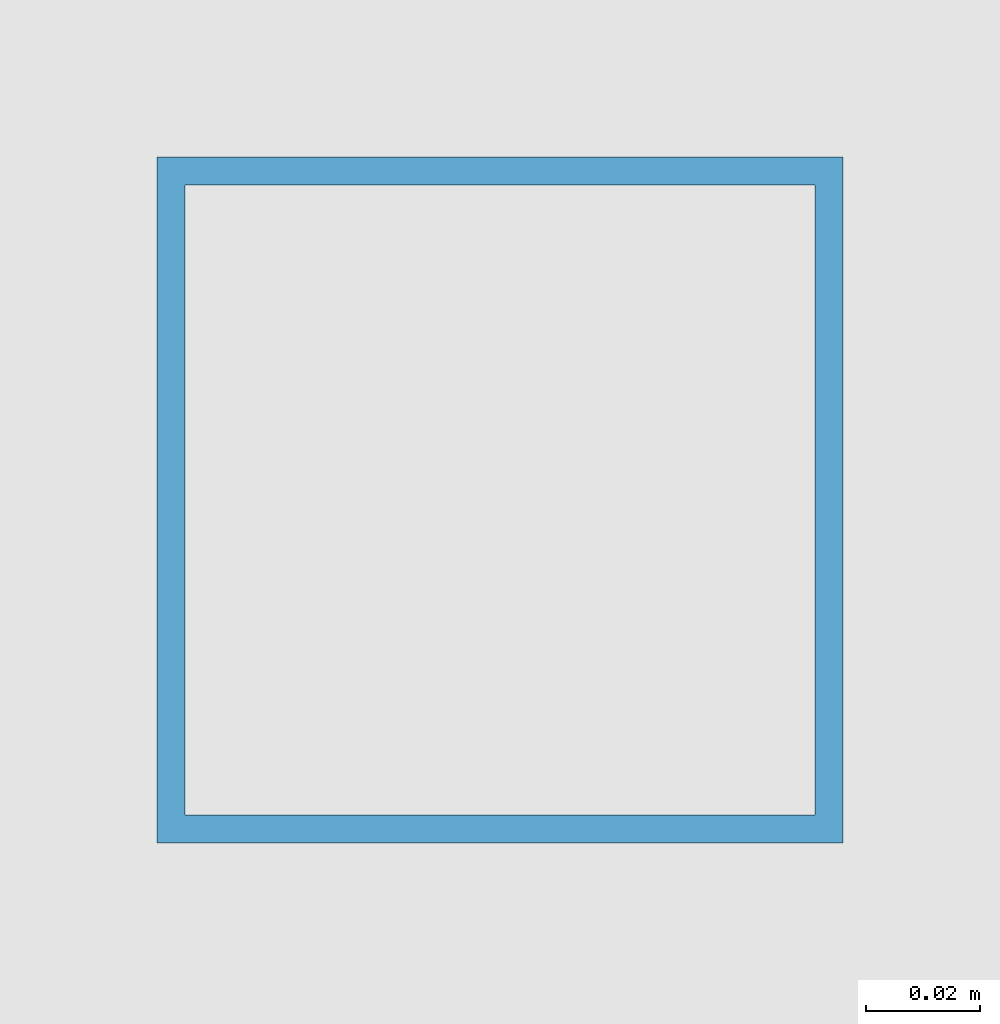
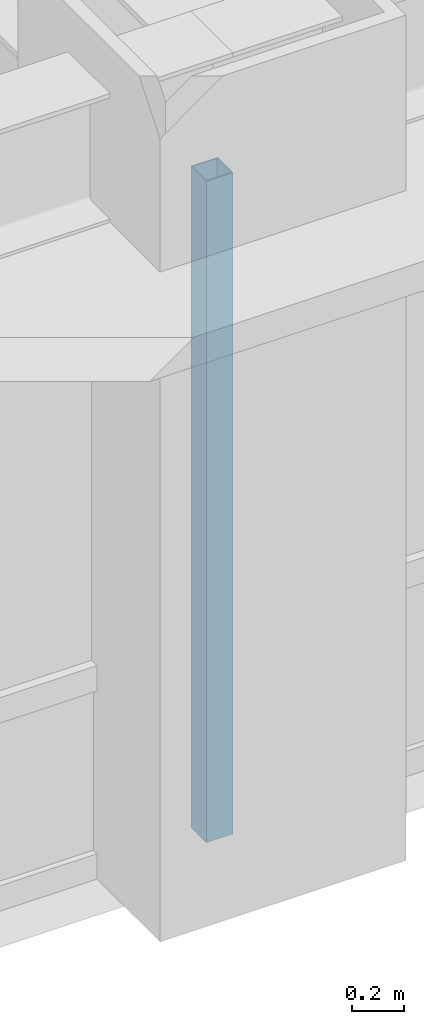
# One storey, part 4 of 28: 1 member, 1 element without a shape of its own.
"""IFC4 building model written with IfcOpenShell, lengths in metres."""

import ifcopenshell
import ifcopenshell.guid

model = None  # the IFC model being written
_history = None  # IfcOwnerHistory: only IFC2X3 demands one
_inside = {}  # id of a spatial element -> (the spatial element, [elements in it])
_under = {}  # id of a project, library or spatial element -> (it, [spatial elements below it])
_declared = {}  # id of a project -> (the project, [libraries it declares])
_typed = {}  # id of a type object -> (the type object, [elements of that type])
_made_of = {}  # id of a material, layer set ... -> (it, [elements and type objects made of it])


def new_model(schema):
    """Start an empty IFC model of exactly this schema.

    Asked for "IFC4X3", IfcOpenShell would pick the latest addendum, in which some entities
    have other attributes; the version numbers below select the first issue.
    IFC2X3 requires an IfcOwnerHistory on every rooted entity: one is made here for all.
    """
    global model, _history
    if schema == "IFC4X3":
        model = ifcopenshell.file(schema_version=(4, 3, 0, 0))
    else:
        model = ifcopenshell.file(schema=schema)
    _inside.clear()
    _under.clear()
    _declared.clear()
    _typed.clear()
    _made_of.clear()
    _history = None
    if model.schema == "IFC2X3":
        org = make("IfcOrganization", Name="unknown")
        user = make(
            "IfcPersonAndOrganization",
            ThePerson=make("IfcPerson", FamilyName="unknown"),
            TheOrganization=org,
        )
        app = make(
            "IfcApplication",
            ApplicationDeveloper=org,
            Version="unknown",
            ApplicationFullName="unknown",
            ApplicationIdentifier="unknown",
        )
        _history = make(
            "IfcOwnerHistory",
            OwningUser=user,
            OwningApplication=app,
            ChangeAction="ADDED",
            CreationDate=0,
        )
    return model


def make(cls, **values):
    """One entity of the class cls with the attributes given. An attribute that is None is left unset."""
    return model.create_entity(
        cls, **{name: value for name, value in values.items() if value is not None}
    )


def rooted(cls, **values):
    """An entity with a GlobalId (a new one), such as an element, a storey or a relation."""
    return make(cls, GlobalId=ifcopenshell.guid.new(), OwnerHistory=_history, **values)


def si_unit(unit_type, name, prefix=None):
    """IfcSIUnit, for example si_unit("LENGTHUNIT", "METRE", prefix="MILLI")."""
    return make("IfcSIUnit", UnitType=unit_type, Prefix=prefix, Name=name)


def assignment(units):
    """IfcUnitAssignment: the units of a project."""
    return None if units is None else make("IfcUnitAssignment", Units=units)


def point(xyz):
    """IfcCartesianPoint."""
    return None if xyz is None else make("IfcCartesianPoint", Coordinates=xyz)


def direction(xyz):
    """IfcDirection."""
    return None if xyz is None else make("IfcDirection", DirectionRatios=xyz)


def frame(location, z_axis=None, x_axis=None):
    """IfcAxis2Placement3D, a coordinate frame: its origin and axes. An axis left out is left unset."""
    return make(
        "IfcAxis2Placement3D",
        Location=point(location),
        Axis=direction(z_axis),
        RefDirection=direction(x_axis),
    )


def frame_2d(location, x_axis=None):
    """IfcAxis2Placement2D, a coordinate frame in the plane: its origin and x axis."""
    return make(
        "IfcAxis2Placement2D", Location=point(location), RefDirection=direction(x_axis)
    )


def origin():
    """The frame at (0, 0, 0) with its axes left unset."""
    return frame((0.0, 0.0, 0.0))


def origin_2d():
    """The frame at (0, 0) in the plane with its x axis left unset."""
    return frame_2d((0.0, 0.0))


def place(relative_to, where):
    """IfcLocalPlacement: puts the frame where relative to a parent placement (None: the world)."""
    return make(
        "IfcLocalPlacement", PlacementRelTo=relative_to, RelativePlacement=where
    )


def context(
    kind, dimensions, precision=None, world=None, true_north=None, identifier=None
):
    """IfcGeometricRepresentationContext, for example the 3D "Model" context."""
    return make(
        "IfcGeometricRepresentationContext",
        ContextIdentifier=identifier,
        ContextType=kind,
        CoordinateSpaceDimension=dimensions,
        Precision=precision,
        WorldCoordinateSystem=world,
        TrueNorth=true_north,
    )


def subcontext(parent, identifier, kind, view, scale=None):
    """IfcGeometricRepresentationSubContext, for example "Body" below "Model"."""
    return make(
        "IfcGeometricRepresentationSubContext",
        ContextIdentifier=identifier,
        ContextType=kind,
        ParentContext=parent,
        TargetScale=scale,
        TargetView=view,
    )


def project(units=None, contexts=None):
    """IfcProject with its units and contexts."""
    return rooted(
        "IfcProject",
        Name="project",
        RepresentationContexts=contexts,
        UnitsInContext=assignment(units),
    )


def spatial(cls, under=None, at=None, **own):
    """A site, building, storey or space (cls), placed at a placement, below another one or the project."""
    s = rooted(cls, ObjectPlacement=at, **own)
    if under is not None:
        _under.setdefault(under.id(), (under, []))[1].append(s)
    return s


def profile(cls, at=None, kind="AREA", **sizes):
    """A parametric profile (cls). Its sizes go by their IFC names, for example OverallWidth=200.0."""
    return make(cls, ProfileType=kind, Position=at, **sizes)


def hollow_rectangle(**sizes):
    """IfcRectangleHollowProfileDef."""
    return profile("IfcRectangleHollowProfileDef", **sizes)


def extrude(swept, where, along, depth):
    """IfcExtrudedAreaSolid: the profile swept, set in the frame where, extruded along a direction by depth."""
    return make(
        "IfcExtrudedAreaSolid",
        SweptArea=swept,
        Position=where,
        ExtrudedDirection=direction(along),
        Depth=depth,
    )


def shape(context_of_items, identifier, shape_type, items):
    """IfcShapeRepresentation: the items that make up one representation, for example the "Body"."""
    return make(
        "IfcShapeRepresentation",
        ContextOfItems=context_of_items,
        RepresentationIdentifier=identifier,
        RepresentationType=shape_type,
        Items=items,
    )


def source(mapping_origin, context_of_items, identifier, shape_type, items):
    """IfcRepresentationMap: a shape defined once, which mapped items show again and again."""
    return make(
        "IfcRepresentationMap",
        MappingOrigin=mapping_origin,
        MappedRepresentation=shape(context_of_items, identifier, shape_type, items),
    )


def transform(
    local_origin,
    x_axis=None,
    y_axis=None,
    z_axis=None,
    scale=None,
    scale2=None,
    scale3=None,
    uniform=True,
):
    """IfcCartesianTransformationOperator3D, or its non-uniform kind. x_axis, y_axis, z_axis: its Axis1, 2, 3."""
    if uniform:
        return make(
            "IfcCartesianTransformationOperator3D",
            Axis1=direction(x_axis),
            Axis2=direction(y_axis),
            LocalOrigin=point(local_origin),
            Scale=scale,
            Axis3=direction(z_axis),
        )
    return make(
        "IfcCartesianTransformationOperator3DnonUniform",
        Axis1=direction(x_axis),
        Axis2=direction(y_axis),
        LocalOrigin=point(local_origin),
        Scale=scale,
        Axis3=direction(z_axis),
        Scale2=scale2,
        Scale3=scale3,
    )


def mapped(mapping_source, mapping_target):
    """IfcMappedItem: shows the shape of a source again, moved by a transform."""
    return make(
        "IfcMappedItem", MappingSource=mapping_source, MappingTarget=mapping_target
    )


def material(Name=None, Category=None):
    """IfcMaterial."""
    return make("IfcMaterial", Name=Name, Category=Category)


def material_profile(
    of_material, cross_section, Name=None, Category=None, Priority=None
):
    """IfcMaterialProfile: a cross section and its material."""
    return make(
        "IfcMaterialProfile",
        Name=Name,
        Material=of_material,
        Profile=cross_section,
        Priority=Priority,
        Category=Category,
    )


def profile_set(profiles, Name=None, composite=None):
    """IfcMaterialProfileSet."""
    return make(
        "IfcMaterialProfileSet",
        Name=Name,
        MaterialProfiles=profiles,
        CompositeProfile=composite,
    )


def made_of(thing, what):
    """Note that an element or type object is made of a material, layer set ...; save() writes the relation."""
    if what is not None:
        _made_of.setdefault(what.id(), (what, []))[1].append(thing)
    return thing


def type_object(cls, material=None, **own):
    """A type object (cls), such as IfcWallType, which elements share."""
    return made_of(rooted(cls, **own), material)


def element(
    cls,
    number,
    at=None,
    inside=None,
    cuts=None,
    type_object=None,
    material=None,
    context=None,
    identifier="Body",
    shape_type=None,
    held_by="IfcProductDefinitionShape",
    body=None,
    shapes=None,
    **own,
):
    """One element of the class cls, such as IfcWall. Its Tag is "e" and its number.

    at: its placement. inside: the storey or other place that contains it. cuts: it is an
    opening in that element (IfcRelVoidsElement). A single representation is given by context,
    identifier, shape_type and body (its items); several are given by shapes. held_by: the class
    of the entity that holds the representations. save() writes the other relations.
    """
    e = rooted(cls, Tag="e%d" % number, ObjectPlacement=at, **own)
    if body is not None:
        shapes = [shape(context, identifier, shape_type, body)]
    if shapes is not None:
        e.Representation = make(held_by, Representations=shapes)
    if inside is not None:
        _inside.setdefault(inside.id(), (inside, []))[1].append(e)
    if cuts is not None:
        rooted(
            "IfcRelVoidsElement", RelatingBuildingElement=cuts, RelatedOpeningElement=e
        )
    if type_object is not None:
        _typed.setdefault(type_object.id(), (type_object, []))[1].append(e)
    return made_of(e, material)


def aggregate(whole, parts):
    """IfcRelAggregates: a whole, such as a stair, and the parts it consists of."""
    return rooted("IfcRelAggregates", RelatingObject=whole, RelatedObjects=parts)


def save(model, path):
    """Write the relations noted so far, then the file.

    IfcRelAggregates (storeys below a building ...), IfcRelContainedInSpatialStructure (elements
    in a storey), IfcRelDefinesByType, IfcRelAssociatesMaterial and IfcRelDeclares: one each for
    every whole, place, type object, material and project.
    """
    for whole, parts in _under.values():
        aggregate(whole, parts)
    for where, things in _inside.values():
        rooted(
            "IfcRelContainedInSpatialStructure",
            RelatedElements=things,
            RelatingStructure=where,
        )
    for kind, things in _typed.values():
        rooted("IfcRelDefinesByType", RelatedObjects=things, RelatingType=kind)
    for what, things in _made_of.values():
        rooted("IfcRelAssociatesMaterial", RelatedObjects=things, RelatingMaterial=what)
    for by, libraries in _declared.values():
        rooted("IfcRelDeclares", RelatingContext=by, RelatedDefinitions=libraries)
    model.write(path)


model = new_model("IFC4")

# Units and contexts
model_context = context("Model", 3, precision=1e-05, world=origin(), true_north=direction((0.0, 1.0)))
body_context = subcontext(model_context, "Body", "Model", "MODEL_VIEW")
ifc_project = project(units=[si_unit("LENGTHUNIT", "METRE"), si_unit("AREAUNIT", "SQUARE_METRE"), si_unit("VOLUMEUNIT", "CUBIC_METRE"), si_unit("PLANEANGLEUNIT", "RADIAN"), si_unit("MASSUNIT", "GRAM", prefix="KILO")], contexts=[model_context])

# Site, building, storey
site_placement = place(None, origin())
site = spatial("IfcSite", under=ifc_project, at=site_placement, CompositionType="ELEMENT")
building_placement = place(site_placement, origin())
building = spatial("IfcBuilding", under=site, at=building_placement, Name="Khorayat Bourse Tower", CompositionType="ELEMENT")
storey_placement = place(building_placement, frame((0.0, 0.0, 191.10009765625)))
storey = spatial("IfcBuildingStorey", under=building, at=storey_placement, Name="L44", CompositionType="ELEMENT", Elevation=191.10009765625)

# Curtain wall, member
ifc_material = material(Name="Aluminium EN AW-6063 T6", Category="aluminium")
curtain_wall_type = type_object("IfcCurtainWallType", Name="CW-SYS-03", PredefinedType="NOTDEFINED", material=ifc_material)
curtain_wall_placement = place(storey_placement, origin())
curtain_wall = element("IfcCurtainWall", 1, at=curtain_wall_placement, inside=storey, type_object=curtain_wall_type, Name="L44 Curtain Wall CW-L44-S1", PredefinedType="NOTDEFINED")
ifc_material_profile = material_profile(ifc_material, hollow_rectangle(XDim=0.1201171875, YDim=0.1201171875, WallThickness=0.0048828125, at=origin_2d()), Name="ALU 120x120x5")
ifc_profile_set = profile_set([ifc_material_profile], Name="Aluminium EN AW-6063 T6")
member_type = type_object("IfcMemberType", Name="CWM-VERT-120", PredefinedType="MULLION", material=ifc_profile_set)
shared_shape = source(origin(), body_context, "Body", "SweptSolid", [
    extrude(hollow_rectangle(XDim=0.1201171875, YDim=0.1201171875, WallThickness=0.0048828125, at=origin_2d()), origin(), (0.0, 0.0, 1.0), 3.1298828125),
])
member_placement = place(storey_placement, frame((0.0, -30.0, 0.0), z_axis=(0.0, 0.0, 1.0), x_axis=(0.0, 1.0, 0.0)))
member = element("IfcMember", 2, at=member_placement, type_object=member_type, Name="CW-L44-S1 Vertical Mullion 2", PredefinedType="MULLION", context=body_context, shape_type="MappedRepresentation", body=[
    mapped(shared_shape, transform((0.0, 0.0, 0.0), scale=1.0)),
])
aggregate(curtain_wall, [member])

save(model, "model.ifc")
